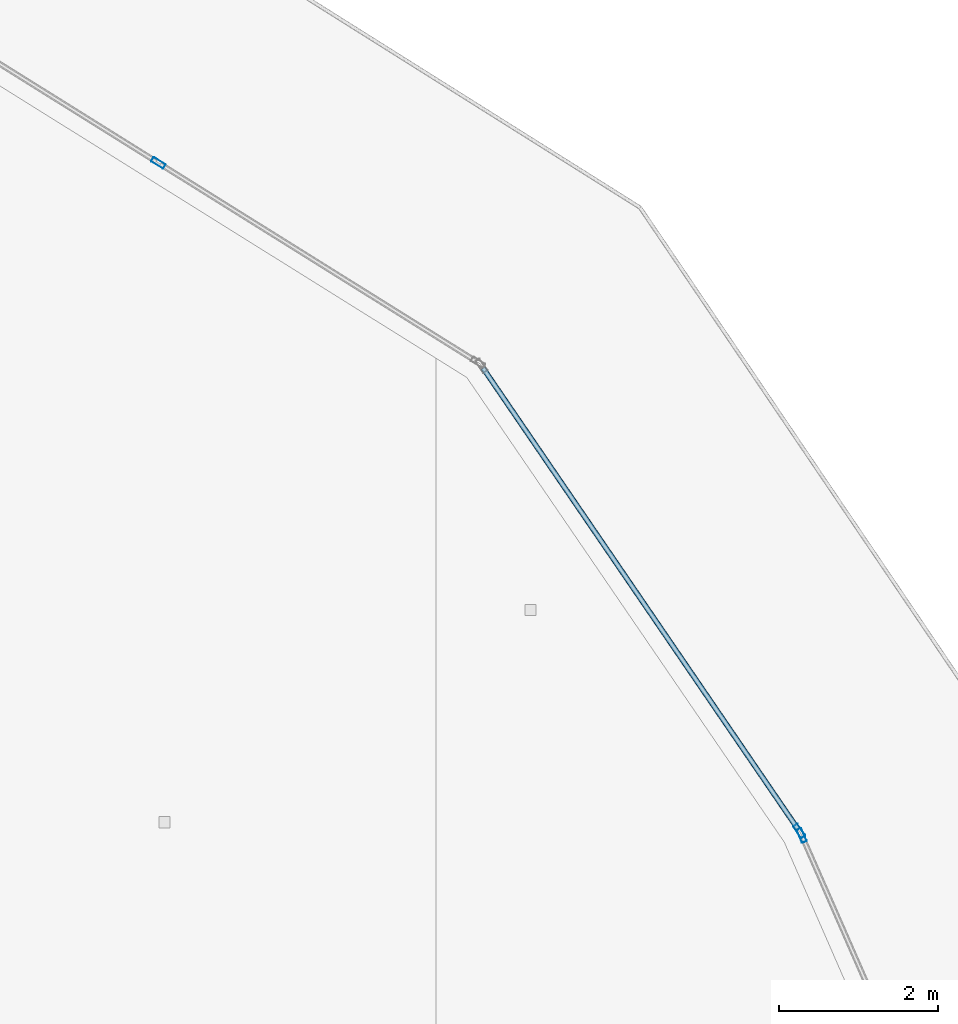
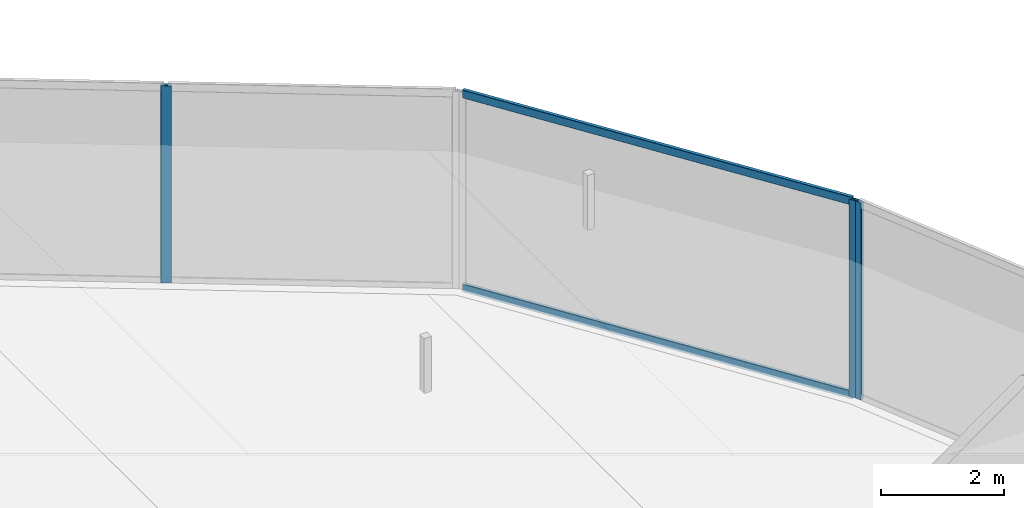
# One storey, part 24 of 46: 5 members, 3 elements without a shape of their own.
"""IFC4 building model written with IfcOpenShell, lengths in metres."""

from ifc_helpers import new_model, si_unit, direction, frame, origin, origin_2d, place, context, subcontext, project, spatial, hollow_rectangle, extrude, material, layer, layer_set, material_profile, profile_set, type_object, element, aggregate, save


model = new_model("IFC4")

# Units and contexts
model_context = context("Model", 3, precision=1e-05, world=origin(), true_north=direction((0.0, 1.0)))
body_context = subcontext(model_context, "Body", "Model", "MODEL_VIEW")
ifc_project = project(units=[si_unit("LENGTHUNIT", "METRE"), si_unit("AREAUNIT", "SQUARE_METRE"), si_unit("VOLUMEUNIT", "CUBIC_METRE"), si_unit("PLANEANGLEUNIT", "RADIAN"), si_unit("MASSUNIT", "GRAM", prefix="KILO")], contexts=[model_context])

# Site, building, storey
site_placement = place(None, origin())
site = spatial("IfcSite", under=ifc_project, at=site_placement, CompositionType="ELEMENT")
building_placement = place(site_placement, origin())
building = spatial("IfcBuilding", under=site, at=building_placement, Name="Qorvath Tower", CompositionType="ELEMENT")
storey_placement = place(building_placement, frame((0.0, 0.0, 87.0)))
storey = spatial("IfcBuildingStorey", under=building, at=storey_placement, Name="L19", CompositionType="ELEMENT", Elevation=87.0)

# Curtain wall, member
ifc_material_1 = material(Name="Anodised aluminium and triple low-E glass", Category="aluminium")
ifc_layer = layer(ifc_material_1, 0.179931640625)
ifc_layer_set = layer_set([ifc_layer], Name="CW-SYS-2")
curtain_wall_type = type_object("IfcCurtainWallType", Name="CW-SYS-2", PredefinedType="NOTDEFINED", material=ifc_layer_set)
curtain_wall_1_placement = place(storey_placement, origin())
curtain_wall_1 = element("IfcCurtainWall", 1, at=curtain_wall_1_placement, inside=storey, type_object=curtain_wall_type, Name="Curtain Wall CW-2 CW-T-L19-12.1", PredefinedType="NOTDEFINED")
ifc_material_2 = material(Name="Anodised aluminium 6063-T6", Category="aluminium")
ifc_material_profile_1 = material_profile(ifc_material_2, hollow_rectangle(XDim=0.06494140625, YDim=0.179931640625, WallThickness=0.00341796875, InnerFilletRadius=0.00341796875, OuterFilletRadius=0.007080078125, at=origin_2d()), Name="CWM 180x65")
ifc_profile_set_1 = profile_set([ifc_material_profile_1], Name="Anodised aluminium 6063-T6")
member_type_1 = type_object("IfcMemberType", Name="CWM-180", PredefinedType="MULLION", material=ifc_profile_set_1)
member_1_placement = place(storey_placement, frame((1.3857421875, 18.65673828125, 0.0), z_axis=(0.0, 0.0, 1.0), x_axis=(-0.915885530927, -0.401439527499, 0.0)))
member_1 = element("IfcMember", 2, at=member_1_placement, type_object=member_type_1, Name="CW-2 mullion 2", PredefinedType="MULLION", context=body_context, shape_type="SweptSolid", body=[
    extrude(hollow_rectangle(XDim=0.06494140625, YDim=0.179931640625, WallThickness=0.00341796875, InnerFilletRadius=0.00341796875, OuterFilletRadius=0.007080078125, at=origin_2d()), origin(), (0.0, 0.0, 1.0), 3.919921875),
])
aggregate(curtain_wall_1, [member_1])

curtain_wall_2_placement = place(storey_placement, origin())
curtain_wall_2 = element("IfcCurtainWall", 3, at=curtain_wall_2_placement, inside=storey, type_object=curtain_wall_type, Name="Curtain Wall CW-2 CW-T-L19-13.1", PredefinedType="NOTDEFINED")
member_2_placement = place(storey_placement, frame((1.3544921875, 18.71337890625, 0.0), z_axis=(0.0, 0.0, 1.0), x_axis=(-0.825750255931, -0.564035916259, 0.0)))
member_2 = element("IfcMember", 4, at=member_2_placement, type_object=member_type_1, Name="CW-2 mullion 1", PredefinedType="MULLION", context=body_context, shape_type="SweptSolid", body=[
    extrude(hollow_rectangle(XDim=0.06494140625, YDim=0.179931640625, WallThickness=0.00341796875, InnerFilletRadius=0.00341796875, OuterFilletRadius=0.007080078125, at=origin_2d()), origin(), (0.0, 0.0, 1.0), 3.919921875),
])

curtain_wall_3_placement = place(storey_placement, origin())
curtain_wall_3 = element("IfcCurtainWall", 5, at=curtain_wall_3_placement, inside=storey, type_object=curtain_wall_type, Name="Curtain Wall CW-2 CW-T-L19-14.1", PredefinedType="NOTDEFINED")
member_3_placement = place(storey_placement, frame((-6.726806640625, 27.137451171875, 0.0), z_axis=(0.0, 0.0, 1.0), x_axis=(-0.529624942243, -0.848231937947, 0.0)))
member_3 = element("IfcMember", 6, at=member_3_placement, type_object=member_type_1, Name="CW-2 mullion 2", PredefinedType="MULLION", context=body_context, shape_type="SweptSolid", body=[
    extrude(hollow_rectangle(XDim=0.06494140625, YDim=0.179931640625, WallThickness=0.00341796875, InnerFilletRadius=0.00341796875, OuterFilletRadius=0.007080078125, at=origin_2d()), origin(), (0.0, 0.0, 1.0), 3.919921875),
])
aggregate(curtain_wall_3, [member_3])

# Member
ifc_material_3 = material(Name="Anodised aluminium 6063-T6", Category="aluminium")
ifc_material_profile_2 = material_profile(ifc_material_3, hollow_rectangle(XDim=0.06494140625, YDim=0.159912109375, WallThickness=0.00341796875, InnerFilletRadius=0.00341796875, OuterFilletRadius=0.007080078125, at=origin_2d()), Name="CWT 160x65")
ifc_profile_set_2 = profile_set([ifc_material_profile_2], Name="Anodised aluminium 6063-T6")
member_type_2 = type_object("IfcMemberType", Name="CWT-160", PredefinedType="USERDEFINED", material=ifc_profile_set_2)
member_4_placement = place(storey_placement, frame((1.336181640625, 18.740234375, 0.032470703125), z_axis=(-0.564049366071, 0.825741068759, 0.0), x_axis=(-0.825741068759, -0.564049366071, 0.0)))
member_4 = element("IfcMember", 7, at=member_4_placement, type_object=member_type_2, Name="CW-2 transom 1.1", ObjectType="TRANSOM", PredefinedType="USERDEFINED", context=body_context, shape_type="SweptSolid", body=[
    extrude(hollow_rectangle(XDim=0.06494140625, YDim=0.159912109375, WallThickness=0.00341796875, InnerFilletRadius=0.00341796875, OuterFilletRadius=0.007080078125, at=origin_2d()), origin(), (0.0, 0.0, 1.0), 7.0361328125),
])

member_5_placement = place(storey_placement, frame((1.336181640625, 18.740234375, 3.887451171875), z_axis=(-0.564049366071, 0.825741068759, 0.0), x_axis=(-0.825741068759, -0.564049366071, 0.0)))
member_5 = element("IfcMember", 8, at=member_5_placement, type_object=member_type_2, Name="CW-2 transom 1.2", ObjectType="TRANSOM", PredefinedType="USERDEFINED", context=body_context, shape_type="SweptSolid", body=[
    extrude(hollow_rectangle(XDim=0.06494140625, YDim=0.159912109375, WallThickness=0.00341796875, InnerFilletRadius=0.00341796875, OuterFilletRadius=0.007080078125, at=origin_2d()), origin(), (0.0, 0.0, 1.0), 7.0361328125),
])

aggregate(curtain_wall_2, [member_2, member_4, member_5])

save(model, "model.ifc")
